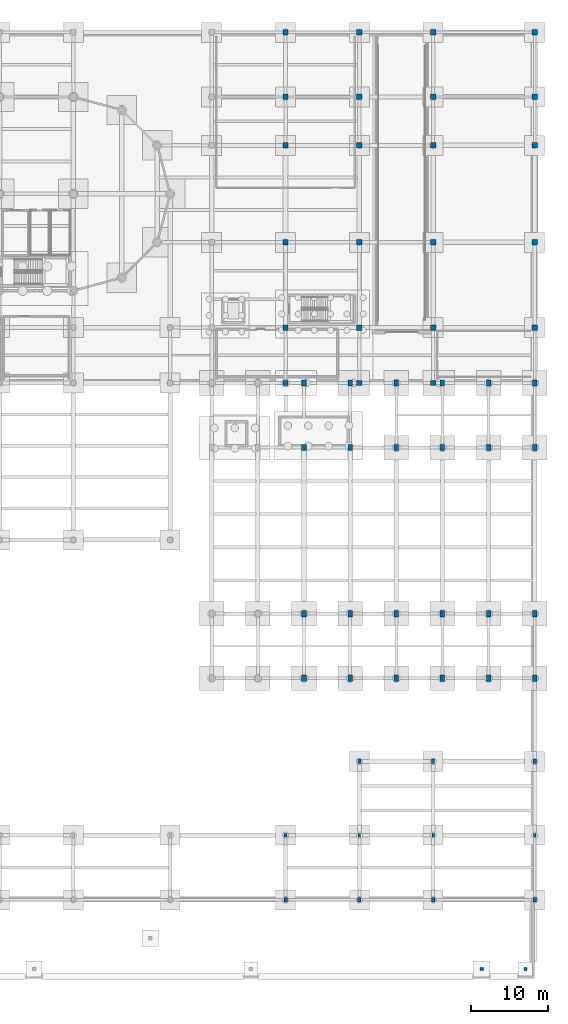
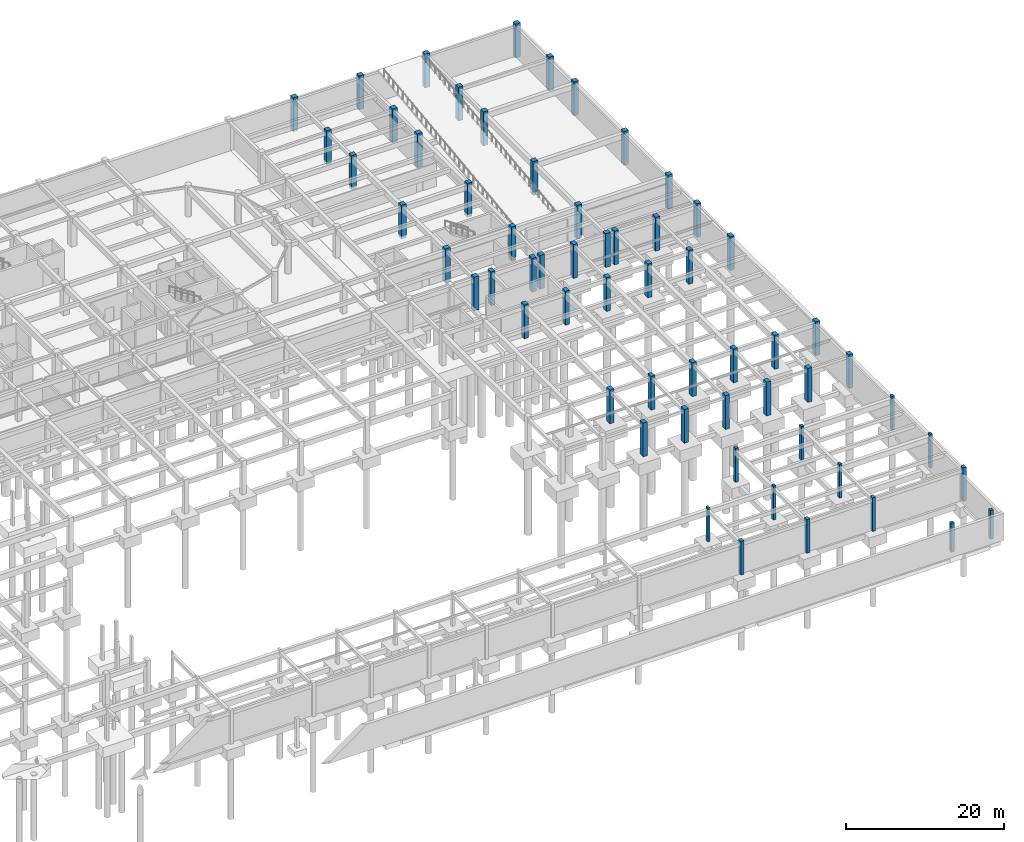
# One storey, part 12 of 37: 60 columns.
"""IFC4 building model written with IfcOpenShell, lengths in metres."""

from ifc_helpers import new_model, si_unit, direction, frame, origin, origin_2d, place, context, subcontext, project, spatial, rectangle, extrude, material, material_profile, profile_set, type_object, element, save


model = new_model("IFC4")

# Units and contexts
model_context = context("Model", 3, precision=1e-05, world=origin(), true_north=direction((0.0, 1.0)))
body_context = subcontext(model_context, "Body", "Model", "MODEL_VIEW")
ifc_project = project(units=[si_unit("LENGTHUNIT", "METRE"), si_unit("AREAUNIT", "SQUARE_METRE"), si_unit("VOLUMEUNIT", "CUBIC_METRE"), si_unit("PLANEANGLEUNIT", "RADIAN"), si_unit("MASSUNIT", "GRAM", prefix="KILO")], contexts=[model_context])

# Site, building, storey
site_placement = place(None, origin())
site = spatial("IfcSite", under=ifc_project, at=site_placement, CompositionType="ELEMENT")
building_placement = place(site_placement, origin())
building = spatial("IfcBuilding", under=site, at=building_placement, Name="Tarnavel Promenade Courthouse", CompositionType="ELEMENT")
storey_placement = place(building_placement, frame((0.0, 0.0, -4.800048828125)))
storey = spatial("IfcBuildingStorey", under=building, at=storey_placement, Name="B01", CompositionType="ELEMENT", Elevation=-4.800048828125)

# Columns
ifc_material = material(Name="Concrete C40/50", Category="concrete")
ifc_material_profile_1 = material_profile(ifc_material, rectangle(XDim=0.35009765625, YDim=0.5, at=origin_2d()), Name="RC 350x500")
ifc_profile_set_1 = profile_set([ifc_material_profile_1], Name="Concrete C40/50")
column_type_1 = type_object("IfcColumnType", Name="Concrete C40/50 COL-PIL-350x500 (RC 350x500)", PredefinedType="PILASTER", material=ifc_profile_set_1)
for number, where, z_axis, x_axis, name in (
    (1, (129.60009765625, 8.39990234375, -0.419921875), (0.0, 0.0, 1.0), (1.0, 0.0, 0.0), "B01 Structural Column 1122"),
    (2, (139.199951171875, 8.39990234375, -0.419921875), (0.0, 0.0, 1.0), (1.0, 0.0, 0.0), "B01 Structural Column 1126"),
    (3, (148.800048828125, 8.39990234375, -0.419921875), (0.0, 0.0, 1.0), (1.0, 0.0, 0.0), "B01 Structural Column 1130"),
    (4, (162.0, 8.39990234375, -0.419921875), (0.0, 0.0, 1.0), (1.0, 0.0, 0.0), "B01 Structural Column 1134"),
):
    element("IfcColumn", number, at=place(storey_placement, frame(where, z_axis=z_axis, x_axis=x_axis)), inside=storey, type_object=column_type_1, Name=name, PredefinedType="PILASTER", context=body_context, shape_type="SweptSolid", body=[
        extrude(rectangle(XDim=0.35009765625, YDim=0.5, at=origin_2d()), origin(), (0.0, 0.0, 1.0), 5.219970703125),
    ])
ifc_material_profile_2 = material_profile(ifc_material, rectangle(XDim=0.39990234375, YDim=0.550048828125, at=origin_2d()), Name="RC 400x550")
ifc_profile_set_2 = profile_set([ifc_material_profile_2], Name="Concrete C40/50")
column_type_2 = type_object("IfcColumnType", Name="Concrete C40/50 COL-PIL-400x550 (RC 400x550)", PredefinedType="PILASTER", material=ifc_profile_set_2)
for number, where, z_axis, x_axis, name in (
    (5, (139.199951171875, 18.0, -0.419921875), (0.0, 0.0, 1.0), (1.0, 0.0, 0.0), "B01 Structural Column 1136"),
    (6, (148.800048828125, 18.0, -0.419921875), (0.0, 0.0, 1.0), (1.0, 0.0, 0.0), "B01 Structural Column 1138"),
    (7, (162.0, 18.0, -0.419921875), (0.0, 0.0, 1.0), (1.0, 0.0, 0.0), "B01 Structural Column 1140"),
):
    element("IfcColumn", number, at=place(storey_placement, frame(where, z_axis=z_axis, x_axis=x_axis)), inside=storey, type_object=column_type_2, Name=name, PredefinedType="PILASTER", context=body_context, shape_type="SweptSolid", body=[
        extrude(rectangle(XDim=0.39990234375, YDim=0.550048828125, at=origin_2d()), origin(), (0.0, 0.0, 1.0), 5.219970703125),
    ])
ifc_material_profile_3 = material_profile(ifc_material, rectangle(XDim=0.449951171875, YDim=0.60009765625, at=origin_2d()), Name="RC 450x600")
ifc_profile_set_3 = profile_set([ifc_material_profile_3], Name="Concrete C40/50")
column_type_3 = type_object("IfcColumnType", Name="Concrete C40/50 COL-PIL-450x600 (RC 450x600)", PredefinedType="PILASTER", material=ifc_profile_set_3)
for number, where, z_axis, x_axis, name in (
    (8, (129.60009765625, 0.0, -0.419921875), (0.0, 0.0, 1.0), (1.0, 0.0, 0.0), "B01 Structural Column 1120"),
    (9, (139.199951171875, 0.0, -0.419921875), (0.0, 0.0, 1.0), (1.0, 0.0, 0.0), "B01 Structural Column 1124"),
    (10, (148.800048828125, 0.0, -0.419921875), (0.0, 0.0, 1.0), (1.0, 0.0, 0.0), "B01 Structural Column 1128"),
    (11, (162.0, 0.0, -0.419921875), (0.0, 0.0, 1.0), (1.0, 0.0, 0.0), "B01 Structural Column 1132"),
):
    element("IfcColumn", number, at=place(storey_placement, frame(where, z_axis=z_axis, x_axis=x_axis)), inside=storey, type_object=column_type_3, Name=name, PredefinedType="PILASTER", context=body_context, shape_type="SweptSolid", body=[
        extrude(rectangle(XDim=0.449951171875, YDim=0.60009765625, at=origin_2d()), origin(), (0.0, 0.0, 1.0), 5.219970703125),
    ])
ifc_material_profile_4 = material_profile(ifc_material, rectangle(XDim=0.449951171875, YDim=0.449951171875, at=origin_2d()), Name="RC 450x450")
ifc_profile_set_4 = profile_set([ifc_material_profile_4], Name="Concrete C40/50")
column_type_4 = type_object("IfcColumnType", Name="Concrete C40/50 COL-RC450-PAV (RC 450x450)", PredefinedType="COLUMN", material=ifc_profile_set_4)
for number, where, z_axis, x_axis, name in (
    (12, (155.10009765625, -9.0, -0.419921875), (0.0, 0.0, 1.0), (1.0, 0.0, 0.0), "Plinth Frost Pedestal 08"),
    (13, (160.800048828125, -9.0, -0.419921875), (0.0, 0.0, 1.0), (1.0, 0.0, 0.0), "Plinth Frost Pedestal 11"),
):
    element("IfcColumn", number, at=place(storey_placement, frame(where, z_axis=z_axis, x_axis=x_axis)), inside=storey, type_object=column_type_4, Name=name, PredefinedType="COLUMN", context=body_context, shape_type="SweptSolid", body=[
        extrude(rectangle(XDim=0.449951171875, YDim=0.449951171875, at=origin_2d()), origin(), (0.0, 0.0, 1.0), 4.469970703125),
    ])
ifc_material_profile_5 = material_profile(ifc_material, rectangle(XDim=0.60009765625, YDim=0.800048828125, at=origin_2d()), Name="RC 600x800")
ifc_profile_set_5 = profile_set([ifc_material_profile_5], Name="Concrete C40/50")
column_type_5 = type_object("IfcColumnType", Name="Concrete C40/50 COL-RC600x800 (RC 600x800)", PredefinedType="COLUMN", material=ifc_profile_set_5)
for number, where, z_axis, x_axis, name in (
    (14, (132.0, 28.800048828125, -0.419921875), (0.0, 0.0, 1.0), (1.0, 0.0, 0.0), "B01 Structural Column 0766"),
    (15, (132.0, 37.199951171875, -0.419921875), (0.0, 0.0, 1.0), (1.0, 0.0, 0.0), "B01 Structural Column 0771"),
    (16, (132.0, 58.800048828125, -0.419921875), (0.0, 0.0, 1.0), (1.0, 0.0, 0.0), "B01 Structural Column 0776"),
    (17, (132.0, 67.199951171875, -0.419921875), (0.0, 0.0, 1.0), (1.0, 0.0, 0.0), "B01 Structural Column 0781"),
    (18, (138.0, 28.800048828125, -0.419921875), (0.0, 0.0, 1.0), (1.0, 0.0, 0.0), "B01 Structural Column 0786"),
    (19, (138.0, 37.199951171875, -0.419921875), (0.0, 0.0, 1.0), (1.0, 0.0, 0.0), "B01 Structural Column 0791"),
    (20, (138.0, 58.800048828125, -0.419921875), (0.0, 0.0, 1.0), (1.0, 0.0, 0.0), "B01 Structural Column 0796"),
    (21, (138.0, 67.199951171875, -0.419921875), (0.0, 0.0, 1.0), (1.0, 0.0, 0.0), "B01 Structural Column 0801"),
    (22, (144.0, 28.800048828125, -0.419921875), (0.0, 0.0, 1.0), (1.0, 0.0, 0.0), "B01 Structural Column 0806"),
    (23, (144.0, 37.199951171875, -0.419921875), (0.0, 0.0, 1.0), (1.0, 0.0, 0.0), "B01 Structural Column 0811"),
    (24, (144.0, 58.800048828125, -0.419921875), (0.0, 0.0, 1.0), (1.0, 0.0, 0.0), "B01 Structural Column 0816"),
    (25, (144.0, 67.199951171875, -0.419921875), (0.0, 0.0, 1.0), (1.0, 0.0, 0.0), "B01 Structural Column 0821"),
    (26, (150.0, 28.800048828125, -0.419921875), (0.0, 0.0, 1.0), (1.0, 0.0, 0.0), "B01 Structural Column 0826"),
    (27, (150.0, 37.199951171875, -0.419921875), (0.0, 0.0, 1.0), (1.0, 0.0, 0.0), "B01 Structural Column 0831"),
    (28, (150.0, 58.800048828125, -0.419921875), (0.0, 0.0, 1.0), (1.0, 0.0, 0.0), "B01 Structural Column 0836"),
    (29, (150.0, 67.199951171875, -0.419921875), (0.0, 0.0, 1.0), (1.0, 0.0, 0.0), "B01 Structural Column 0841"),
    (30, (156.0, 28.800048828125, -0.419921875), (0.0, 0.0, 1.0), (1.0, 0.0, 0.0), "B01 Structural Column 0846"),
    (31, (156.0, 37.199951171875, -0.419921875), (0.0, 0.0, 1.0), (1.0, 0.0, 0.0), "B01 Structural Column 0851"),
    (32, (156.0, 58.800048828125, -0.419921875), (0.0, 0.0, 1.0), (1.0, 0.0, 0.0), "B01 Structural Column 0856"),
    (33, (156.0, 67.199951171875, -0.419921875), (0.0, 0.0, 1.0), (1.0, 0.0, 0.0), "B01 Structural Column 0861"),
    (34, (162.0, 28.800048828125, -0.419921875), (0.0, 0.0, 1.0), (1.0, 0.0, 0.0), "B01 Structural Column 0866"),
    (35, (162.0, 37.199951171875, -0.419921875), (0.0, 0.0, 1.0), (1.0, 0.0, 0.0), "B01 Structural Column 0871"),
    (36, (162.0, 58.800048828125, -0.419921875), (0.0, 0.0, 1.0), (1.0, 0.0, 0.0), "B01 Structural Column 0876"),
    (37, (162.0, 67.199951171875, -0.419921875), (0.0, 0.0, 1.0), (1.0, 0.0, 0.0), "B01 Structural Column 0881"),
):
    element("IfcColumn", number, at=place(storey_placement, frame(where, z_axis=z_axis, x_axis=x_axis)), inside=storey, type_object=column_type_5, Name=name, PredefinedType="COLUMN", context=body_context, shape_type="SweptSolid", body=[
        extrude(rectangle(XDim=0.60009765625, YDim=0.800048828125, at=origin_2d()), origin(), (0.0, 0.0, 1.0), 5.219970703125),
    ])
ifc_material_profile_6 = material_profile(ifc_material, rectangle(XDim=0.699951171875, YDim=0.699951171875, at=origin_2d()), Name="RC 700x700")
ifc_profile_set_6 = profile_set([ifc_material_profile_6], Name="Concrete C40/50")
column_type_6 = type_object("IfcColumnType", Name="Concrete C40/50 COL-RC700-MID (RC 700x700)", PredefinedType="COLUMN", material=ifc_profile_set_6)
for number, where, z_axis, x_axis, name in (
    (38, (129.60009765625, 67.199951171875, -0.419921875), (0.0, 0.0, 1.0), (1.0, 0.0, 0.0), "B01 Structural Column 0906"),
    (39, (129.60009765625, 74.39990234375, -0.419921875), (0.0, 0.0, 1.0), (1.0, 0.0, 0.0), "B01 Structural Column 0910"),
    (40, (129.60009765625, 85.5, -0.419921875), (0.0, 0.0, 1.0), (1.0, 0.0, 0.0), "B01 Structural Column 0914"),
    (41, (129.60009765625, 98.10009765625, -0.419921875), (0.0, 0.0, 1.0), (1.0, 0.0, 0.0), "B01 Structural Column 0918"),
    (42, (129.60009765625, 104.39990234375, -0.419921875), (0.0, 0.0, 1.0), (1.0, 0.0, 0.0), "B01 Structural Column 0922"),
    (43, (129.60009765625, 112.800048828125, -0.419921875), (0.0, 0.0, 1.0), (1.0, 0.0, 0.0), "B01 Structural Column 0926"),
    (44, (139.199951171875, 67.199951171875, -0.419921875), (0.0, 0.0, 1.0), (1.0, 0.0, 0.0), "B01 Structural Column 0930"),
    (45, (139.199951171875, 74.39990234375, -0.419921875), (0.0, 0.0, 1.0), (1.0, 0.0, 0.0), "B01 Structural Column 0934"),
    (46, (139.199951171875, 85.5, -0.419921875), (0.0, 0.0, 1.0), (1.0, 0.0, 0.0), "B01 Structural Column 0938"),
    (47, (139.199951171875, 98.10009765625, -0.419921875), (0.0, 0.0, 1.0), (1.0, 0.0, 0.0), "B01 Structural Column 0942"),
    (48, (139.199951171875, 104.39990234375, -0.419921875), (0.0, 0.0, 1.0), (1.0, 0.0, 0.0), "B01 Structural Column 0946"),
    (49, (139.199951171875, 112.800048828125, -0.419921875), (0.0, 0.0, 1.0), (1.0, 0.0, 0.0), "B01 Structural Column 0950"),
    (50, (148.800048828125, 67.199951171875, -0.419921875), (0.0, 0.0, 1.0), (1.0, 0.0, 0.0), "B01 Structural Column 0954"),
    (51, (148.800048828125, 74.39990234375, -0.419921875), (0.0, 0.0, 1.0), (1.0, 0.0, 0.0), "B01 Structural Column 0958"),
    (52, (148.800048828125, 85.5, -0.419921875), (0.0, 0.0, 1.0), (1.0, 0.0, 0.0), "B01 Structural Column 0962"),
    (53, (148.800048828125, 98.10009765625, -0.419921875), (0.0, 0.0, 1.0), (1.0, 0.0, 0.0), "B01 Structural Column 0966"),
    (54, (148.800048828125, 104.39990234375, -0.419921875), (0.0, 0.0, 1.0), (1.0, 0.0, 0.0), "B01 Structural Column 0970"),
    (55, (148.800048828125, 112.800048828125, -0.419921875), (0.0, 0.0, 1.0), (1.0, 0.0, 0.0), "B01 Structural Column 0974"),
    (56, (162.0, 74.39990234375, -0.419921875), (0.0, 0.0, 1.0), (1.0, 0.0, 0.0), "B01 Structural Column 0978"),
    (57, (162.0, 85.5, -0.419921875), (0.0, 0.0, 1.0), (1.0, 0.0, 0.0), "B01 Structural Column 0982"),
    (58, (162.0, 98.10009765625, -0.419921875), (0.0, 0.0, 1.0), (1.0, 0.0, 0.0), "B01 Structural Column 0986"),
    (59, (162.0, 104.39990234375, -0.419921875), (0.0, 0.0, 1.0), (1.0, 0.0, 0.0), "B01 Structural Column 0990"),
    (60, (162.0, 112.800048828125, -0.419921875), (0.0, 0.0, 1.0), (1.0, 0.0, 0.0), "B01 Structural Column 0994"),
):
    element("IfcColumn", number, at=place(storey_placement, frame(where, z_axis=z_axis, x_axis=x_axis)), inside=storey, type_object=column_type_6, Name=name, PredefinedType="COLUMN", context=body_context, shape_type="SweptSolid", body=[
        extrude(rectangle(XDim=0.699951171875, YDim=0.699951171875, at=origin_2d()), origin(), (0.0, 0.0, 1.0), 5.219970703125),
    ])

save(model, "model.ifc")
